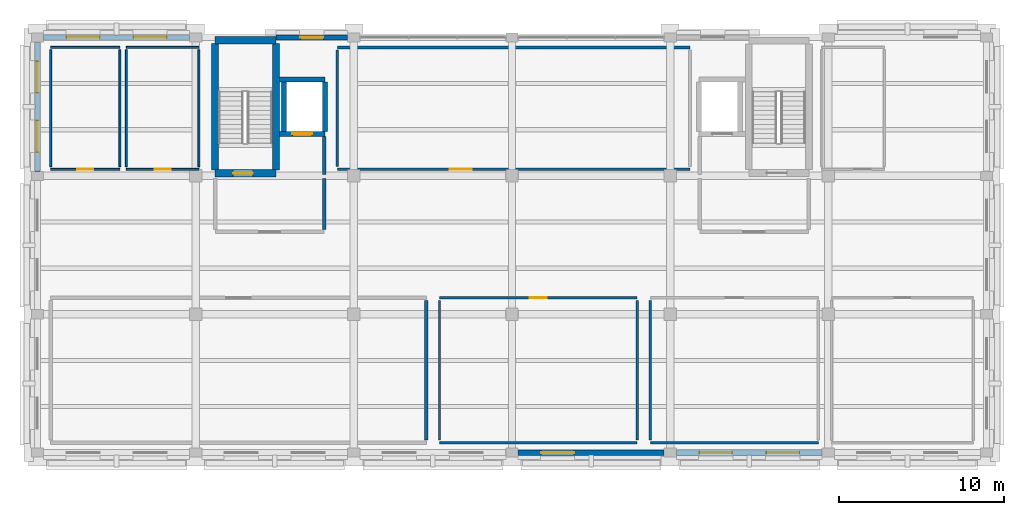
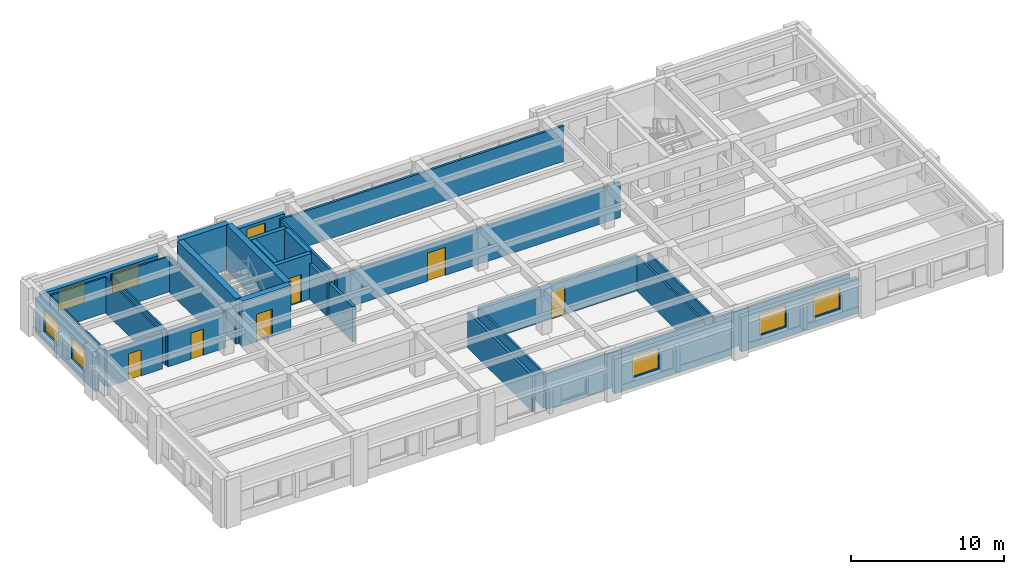
# One storey, part 6 of 11: 33 walls, 8 windows, 6 doors, 14 openings.
"""IFC4 building model written with IfcOpenShell, lengths in metres."""

from ifc_helpers import new_model, si_unit, direction, frame, frame_2d, origin, place, context, subcontext, project, spatial, rectangle, extrude, material, layer, layer_set, type_object, element, fill, save


model = new_model("IFC4")

# Units and contexts
model_context = context("Model", 3, precision=1e-05, world=origin(), true_north=direction((0.0, 1.0)))
body_context = subcontext(model_context, "Body", "Model", "MODEL_VIEW")
ifc_project = project(units=[si_unit("LENGTHUNIT", "METRE"), si_unit("AREAUNIT", "SQUARE_METRE"), si_unit("VOLUMEUNIT", "CUBIC_METRE"), si_unit("PLANEANGLEUNIT", "RADIAN"), si_unit("MASSUNIT", "GRAM", prefix="KILO")], contexts=[model_context])

# Site, building, storey
site_placement = place(None, origin())
site = spatial("IfcSite", under=ifc_project, at=site_placement, CompositionType="ELEMENT")
building_placement = place(site_placement, origin())
building = spatial("IfcBuilding", under=site, at=building_placement, Name="Bempovik Park Faculty of Sciences", CompositionType="ELEMENT")
storey_placement = place(building_placement, frame((0.0, 0.0, 30.60009765625)))
storey = spatial("IfcBuildingStorey", under=building, at=storey_placement, Name="L07", CompositionType="ELEMENT", Elevation=30.60009765625)

# Wall, opening, door
ifc_material_1 = material(Name="Concrete C40/50", Category="concrete")
ifc_layer_1 = layer(ifc_material_1, 0.449951171875)
ifc_layer_set_1 = layer_set([ifc_layer_1], Name="Concrete C40/50")
wall_type_1 = type_object("IfcWallType", Name="W-15 Wall 450mm", PredefinedType="SHEAR", material=ifc_layer_set_1)
wall_1_placement = place(storey_placement, frame((70.77490234375, 111.14990234375, 0.0), z_axis=(0.0, 0.0, 1.0), x_axis=(1.0, 0.0, 0.0)))
wall_1 = element("IfcWall", 1, at=wall_1_placement, inside=storey, type_object=wall_type_1, Name="ST-1 L07 Core Shear Wall South", PredefinedType="SHEAR", context=body_context, shape_type="SweptSolid", body=[
    extrude(rectangle(XDim=3.7001953125, YDim=0.449951171875, at=frame_2d((1.85009765625, 0.0))), origin(), (0.0, 0.0, 1.0), 3.619873046875),
])
opening_1_placement = place(wall_1_placement, frame((1.10009765625, 0.0, 0.0)))
opening_1 = element("IfcOpeningElement", 2, at=opening_1_placement, cuts=wall_1, Name="Opening D-49", PredefinedType="OPENING", context=body_context, shape_type="SweptSolid", body=[
    extrude(rectangle(XDim=1.199951171875, YDim=2.199951171875, at=frame_2d((0.60009765625, 1.10009765625))), frame((0.0, 0.23486328125, 0.0), z_axis=(0.0, -1.0, 0.0), x_axis=(1.0, 0.0, 0.0)), (0.0, 0.0, 1.0), 0.469970703125),
])
ifc_material_2 = material(Name="Painted steel S355", Category="steel")
door_type_1 = type_object("IfcDoorType", Name="D-49 Door 1200x2200", OperationType="NOTDEFINED", PredefinedType="DOOR", material=ifc_material_2)
door_1_placement = place(opening_1_placement, origin())
door_1 = element("IfcDoor", 3, at=door_1_placement, inside=storey, type_object=door_type_1, Name="ST-1 L07 Protected Stair Smoke Door", OperationType="SINGLE_SWING_LEFT", OverallHeight=2.199951171875, OverallWidth=1.199951171875, PredefinedType="DOOR", context=body_context, shape_type="SweptSolid", body=[
    extrude(rectangle(XDim=1.199951171875, YDim=2.199951171875, at=frame_2d((0.60009765625, 1.10009765625))), frame((0.0, 0.02490234375, 0.0), z_axis=(0.0, -1.0, 0.0), x_axis=(1.0, 0.0, 0.0)), (0.0, 0.0, 1.0), 0.050048828125),
])
fill(opening_1, door_1)

# Walls
for number, where, z_axis, x_axis, name in (
    (4, (70.77490234375, 111.35009765625, 0.0), (0.0, 0.0, 1.0), (0.0, 1.0, 0.0), "ST-1 L07 Core Shear Wall West"),
    (5, (74.47509765625, 111.35009765625, 0.0), (0.0, 0.0, 1.0), (0.0, 1.0, 0.0), "ST-1 L07 Core Shear Wall East"),
):
    element("IfcWall", number, at=place(storey_placement, frame(where, z_axis=z_axis, x_axis=x_axis)), inside=storey, type_object=wall_type_1, Name=name, PredefinedType="SHEAR", context=body_context, shape_type="SweptSolid", body=[
        extrude(rectangle(XDim=7.6748046875, YDim=0.449951171875, at=frame_2d((3.83740234375, 0.0))), origin(), (0.0, 0.0, 1.0), 3.619873046875),
    ])
wall_2_placement = place(storey_placement, frame((70.77490234375, 119.22509765625, 0.0), z_axis=(0.0, 0.0, 1.0), x_axis=(1.0, 0.0, 0.0)))
element("IfcWall", 6, at=wall_2_placement, inside=storey, type_object=wall_type_1, Name="ST-1 L07 Core Shear Wall North", PredefinedType="SHEAR", context=body_context, shape_type="SweptSolid", body=[
    extrude(rectangle(XDim=3.7001953125, YDim=0.449951171875, at=frame_2d((1.85009765625, 0.0))), origin(), (0.0, 0.0, 1.0), 3.619873046875),
])

# Wall, opening, door
ifc_material_3 = material(Name="Gypsum acoustic stud assembly")
ifc_layer_2 = layer(ifc_material_3, 0.1201171875)
ifc_layer_set_2 = layer_set([ifc_layer_2], Name="Gypsum acoustic stud assembly")
wall_type_2 = type_object("IfcWallType", Name="W-17 Wall 120mm", PredefinedType="PARTITIONING", material=ifc_layer_set_2)
wall_3_placement = place(storey_placement, frame((60.800048828125, 111.39990234375, 0.0), z_axis=(0.0, 0.0, 1.0), x_axis=(1.0, 0.0, 0.0)))
wall_3 = element("IfcWall", 7, at=wall_3_placement, inside=storey, type_object=wall_type_2, Name="L07 L07 Male WC Partition South", PredefinedType="PARTITIONING", context=body_context, shape_type="SweptSolid", body=[
    extrude(rectangle(XDim=4.199951171875, YDim=0.1201171875, at=frame_2d((2.10009765625, 0.0))), origin(), (0.0, 0.0, 1.0), 2.849853515625),
])
opening_2_placement = place(wall_3_placement, frame((1.625, 0.0, 0.0)))
opening_2 = element("IfcOpeningElement", 8, at=opening_2_placement, cuts=wall_3, Name="Opening D-56", PredefinedType="OPENING", context=body_context, shape_type="SweptSolid", body=[
    extrude(rectangle(XDim=0.949951171875, YDim=2.10009765625, at=frame_2d((0.47509765625, 1.050048828125))), frame((0.0, 0.070068359375, 0.0), z_axis=(0.0, -1.0, 0.0), x_axis=(1.0, 0.0, 0.0)), (0.0, 0.0, 1.0), 0.14013671875),
])
ifc_material_4 = material(Name="West African hardwood finish", Category="wood")
door_type_2 = type_object("IfcDoorType", Name="D-56 Door 950x2100", OperationType="NOTDEFINED", PredefinedType="DOOR", material=ifc_material_4)
door_2_placement = place(opening_2_placement, origin())
door_2 = element("IfcDoor", 9, at=door_2_placement, inside=storey, type_object=door_type_2, Name="L07 L07 Male WC Door", OperationType="SINGLE_SWING_RIGHT", OverallHeight=2.10009765625, OverallWidth=0.949951171875, PredefinedType="DOOR", context=body_context, shape_type="SweptSolid", body=[
    extrude(rectangle(XDim=0.949951171875, YDim=2.10009765625, at=frame_2d((0.47509765625, 1.050048828125))), frame((0.0, 0.02490234375, 0.0), z_axis=(0.0, -1.0, 0.0), x_axis=(1.0, 0.0, 0.0)), (0.0, 0.0, 1.0), 0.050048828125),
])
fill(opening_2, door_2)

# Walls
wall_4_placement = place(storey_placement, frame((60.800048828125, 118.800048828125, 0.0), z_axis=(0.0, 0.0, 1.0), x_axis=(1.0, 0.0, 0.0)))
element("IfcWall", 10, at=wall_4_placement, inside=storey, type_object=wall_type_2, Name="L07 L07 Male WC Partition North", PredefinedType="PARTITIONING", context=body_context, shape_type="SweptSolid", body=[
    extrude(rectangle(XDim=4.199951171875, YDim=0.1201171875, at=frame_2d((2.10009765625, 0.0))), origin(), (0.0, 0.0, 1.0), 2.849853515625),
])
for number, where, z_axis, x_axis, name in (
    (11, (60.800048828125, 111.56005859375, 0.0), (0.0, 0.0, 1.0), (0.0, 1.0, 0.0), "L07 L07 Male WC Partition West"),
    (12, (65.0, 111.56005859375, 0.0), (0.0, 0.0, 1.0), (0.0, 1.0, 0.0), "L07 L07 Male WC Partition East"),
):
    element("IfcWall", number, at=place(storey_placement, frame(where, z_axis=z_axis, x_axis=x_axis)), inside=storey, type_object=wall_type_2, Name=name, PredefinedType="PARTITIONING", context=body_context, shape_type="SweptSolid", body=[
        extrude(rectangle(XDim=7.079833984375, YDim=0.1201171875, at=frame_2d((3.5400390625, 0.0))), origin(), (0.0, 0.0, 1.0), 2.849853515625),
    ])

# Wall, opening, door
wall_5_placement = place(storey_placement, frame((65.39990234375, 111.39990234375, 0.0), z_axis=(0.0, 0.0, 1.0), x_axis=(1.0, 0.0, 0.0)))
wall_5 = element("IfcWall", 13, at=wall_5_placement, inside=storey, type_object=wall_type_2, Name="L07 L07 Female WC Partition South", PredefinedType="PARTITIONING", context=body_context, shape_type="SweptSolid", body=[
    extrude(rectangle(XDim=4.400146484375, YDim=0.1201171875, at=frame_2d((2.2001953125, 0.0))), origin(), (0.0, 0.0, 1.0), 2.849853515625),
])
opening_3_placement = place(wall_5_placement, frame((1.72509765625, 0.0, 0.0)))
opening_3 = element("IfcOpeningElement", 14, at=opening_3_placement, cuts=wall_5, Name="Opening D-56", PredefinedType="OPENING", context=body_context, shape_type="SweptSolid", body=[
    extrude(rectangle(XDim=0.949951171875, YDim=2.10009765625, at=frame_2d((0.47509765625, 1.050048828125))), frame((0.0, 0.070068359375, 0.0), z_axis=(0.0, -1.0, 0.0), x_axis=(1.0, 0.0, 0.0)), (0.0, 0.0, 1.0), 0.14013671875),
])
door_3_placement = place(opening_3_placement, origin())
door_3 = element("IfcDoor", 15, at=door_3_placement, inside=storey, type_object=door_type_2, Name="L07 L07 Female WC Door", OperationType="SINGLE_SWING_LEFT", OverallHeight=2.10009765625, OverallWidth=0.949951171875, PredefinedType="DOOR", context=body_context, shape_type="SweptSolid", body=[
    extrude(rectangle(XDim=0.949951171875, YDim=2.10009765625, at=frame_2d((0.47509765625, 1.050048828125))), frame((0.0, 0.02490234375, 0.0), z_axis=(0.0, -1.0, 0.0), x_axis=(1.0, 0.0, 0.0)), (0.0, 0.0, 1.0), 0.050048828125),
])
fill(opening_3, door_3)

# Walls
wall_6_placement = place(storey_placement, frame((65.39990234375, 118.800048828125, 0.0), z_axis=(0.0, 0.0, 1.0), x_axis=(1.0, 0.0, 0.0)))
element("IfcWall", 16, at=wall_6_placement, inside=storey, type_object=wall_type_2, Name="L07 L07 Female WC Partition North", PredefinedType="PARTITIONING", context=body_context, shape_type="SweptSolid", body=[
    extrude(rectangle(XDim=4.400146484375, YDim=0.1201171875, at=frame_2d((2.2001953125, 0.0))), origin(), (0.0, 0.0, 1.0), 2.849853515625),
])
for number, where, z_axis, x_axis, name in (
    (17, (65.39990234375, 111.56005859375, 0.0), (0.0, 0.0, 1.0), (0.0, 1.0, 0.0), "L07 L07 Female WC Partition West"),
    (18, (69.800048828125, 111.56005859375, 0.0), (0.0, 0.0, 1.0), (0.0, 1.0, 0.0), "L07 L07 Female WC Partition East"),
):
    element("IfcWall", number, at=place(storey_placement, frame(where, z_axis=z_axis, x_axis=x_axis)), inside=storey, type_object=wall_type_2, Name=name, PredefinedType="PARTITIONING", context=body_context, shape_type="SweptSolid", body=[
        extrude(rectangle(XDim=7.079833984375, YDim=0.1201171875, at=frame_2d((3.5400390625, 0.0))), origin(), (0.0, 0.0, 1.0), 2.849853515625),
    ])
ifc_layer_3 = layer(ifc_material_3, 0.139892578125)
ifc_layer_set_3 = layer_set([ifc_layer_3], Name="Gypsum acoustic stud assembly")
wall_type_3 = type_object("IfcWallType", Name="W-21 Wall 140mm", PredefinedType="PARTITIONING", material=ifc_layer_set_3)
wall_7_placement = place(storey_placement, frame((84.39990234375, 94.800048828125, 0.0), z_axis=(0.0, 0.0, 1.0), x_axis=(1.0, 0.0, 0.0)))
element("IfcWall", 19, at=wall_7_placement, inside=storey, type_object=wall_type_3, Name="L07 Data Science Research Write-Up Room Partition South", PredefinedType="PARTITIONING", context=body_context, shape_type="SweptSolid", body=[
    extrude(rectangle(XDim=12.0, YDim=0.139892578125, at=frame_2d((6.0, 0.0))), origin(), (0.0, 0.0, 1.0), 2.849853515625),
])

# Wall, opening, door
wall_8_placement = place(storey_placement, frame((84.39990234375, 103.60009765625, 0.0), z_axis=(0.0, 0.0, 1.0), x_axis=(1.0, 0.0, 0.0)))
wall_8 = element("IfcWall", 20, at=wall_8_placement, inside=storey, type_object=wall_type_3, Name="L07 Data Science Research Write-Up Room Partition North", PredefinedType="PARTITIONING", context=body_context, shape_type="SweptSolid", body=[
    extrude(rectangle(XDim=12.0, YDim=0.139892578125, at=frame_2d((6.0, 0.0))), origin(), (0.0, 0.0, 1.0), 2.849853515625),
])
opening_4_placement = place(wall_8_placement, frame((5.489990234375, 0.0, 0.0)))
opening_4 = element("IfcOpeningElement", 21, at=opening_4_placement, cuts=wall_8, Name="Opening D-12", PredefinedType="OPENING", context=body_context, shape_type="SweptSolid", body=[
    extrude(rectangle(XDim=1.02001953125, YDim=2.199951171875, at=frame_2d((0.510009765625, 1.10009765625))), frame((0.0, 0.080078125, 0.0), z_axis=(0.0, -1.0, 0.0), x_axis=(1.0, 0.0, 0.0)), (0.0, 0.0, 1.0), 0.159912109375),
])
door_type_3 = type_object("IfcDoorType", Name="D-12 Door 1020x2200", OperationType="NOTDEFINED", PredefinedType="DOOR", material=ifc_material_4)
door_4_placement = place(opening_4_placement, origin())
door_4 = element("IfcDoor", 22, at=door_4_placement, inside=storey, type_object=door_type_3, Name="L07 Data Science Research Write-Up Room Door", OperationType="SINGLE_SWING_RIGHT", OverallHeight=2.199951171875, OverallWidth=1.02001953125, PredefinedType="DOOR", context=body_context, shape_type="SweptSolid", body=[
    extrude(rectangle(XDim=1.02001953125, YDim=2.199951171875, at=frame_2d((0.510009765625, 1.10009765625))), frame((0.0, 0.02490234375, 0.0), z_axis=(0.0, -1.0, 0.0), x_axis=(1.0, 0.0, 0.0)), (0.0, 0.0, 1.0), 0.050048828125),
])
fill(opening_4, door_4)

# Walls
for number, where, z_axis, x_axis, name in (
    (23, (84.39990234375, 94.9599609375, 0.0), (0.0, 0.0, 1.0), (0.0, 1.0, 0.0), "L07 Data Science Research Write-Up Room Partition West"),
    (24, (96.39990234375, 94.9599609375, 0.0), (0.0, 0.0, 1.0), (0.0, 1.0, 0.0), "L07 Data Science Research Write-Up Room Partition East"),
):
    element("IfcWall", number, at=place(storey_placement, frame(where, z_axis=z_axis, x_axis=x_axis)), inside=storey, type_object=wall_type_3, Name=name, PredefinedType="PARTITIONING", context=body_context, shape_type="SweptSolid", body=[
        extrude(rectangle(XDim=8.47998046875, YDim=0.139892578125, at=frame_2d((4.239990234375, 0.0))), origin(), (0.0, 0.0, 1.0), 2.849853515625),
    ])

# Wall, opening, door
ifc_layer_4 = layer(ifc_material_1, 0.300048828125)
ifc_layer_set_4 = layer_set([ifc_layer_4], Name="Concrete C40/50")
wall_type_4 = type_object("IfcWallType", Name="W-31 Wall 300mm", PredefinedType="SHEAR", material=ifc_layer_set_4)
wall_9_placement = place(storey_placement, frame((74.699951171875, 113.550048828125, 0.0), z_axis=(0.0, 0.0, 1.0), x_axis=(1.0, 0.0, 0.0)))
wall_9 = element("IfcWall", 25, at=wall_9_placement, inside=storey, type_object=wall_type_4, Name="Lift LF-1 L07 Shaft Wall South", PredefinedType="SHEAR", context=body_context, shape_type="SweptSolid", body=[
    extrude(rectangle(XDim=2.75, YDim=0.300048828125, at=frame_2d((1.375, 0.0))), origin(), (0.0, 0.0, 1.0), 3.619873046875),
])
opening_5_placement = place(wall_9_placement, frame((0.77490234375, 0.0, 0.0)))
opening_5 = element("IfcOpeningElement", 26, at=opening_5_placement, cuts=wall_9, Name="Opening LD-01", PredefinedType="OPENING", context=body_context, shape_type="SweptSolid", body=[
    extrude(rectangle(XDim=1.199951171875, YDim=2.199951171875, at=frame_2d((0.60009765625, 1.10009765625))), frame((0.0, 0.16015625, 0.0), z_axis=(0.0, -1.0, 0.0), x_axis=(1.0, 0.0, 0.0)), (0.0, 0.0, 1.0), 0.320068359375),
])
door_type_4 = type_object("IfcDoorType", Name="LD-01 Door 1200x2200", OperationType="NOTDEFINED", PredefinedType="DOOR", material=ifc_material_2)
door_5_placement = place(opening_5_placement, origin())
door_5 = element("IfcDoor", 27, at=door_5_placement, inside=storey, type_object=door_type_4, Name="Lift LF-1 L07 Sliding Landing Door", OperationType="SLIDING_TO_LEFT", OverallHeight=2.199951171875, OverallWidth=1.199951171875, PredefinedType="DOOR", context=body_context, shape_type="SweptSolid", body=[
    extrude(rectangle(XDim=1.199951171875, YDim=2.199951171875, at=frame_2d((0.60009765625, 1.10009765625))), frame((0.0, 0.02490234375, 0.0), z_axis=(0.0, -1.0, 0.0), x_axis=(1.0, 0.0, 0.0)), (0.0, 0.0, 1.0), 0.050048828125),
])
fill(opening_5, door_5)

# Walls
wall_10_placement = place(storey_placement, frame((74.699951171875, 116.85009765625, 0.0), z_axis=(0.0, 0.0, 1.0), x_axis=(1.0, 0.0, 0.0)))
element("IfcWall", 28, at=wall_10_placement, inside=storey, type_object=wall_type_4, Name="Lift LF-1 L07 Shaft Wall North", PredefinedType="SHEAR", context=body_context, shape_type="SweptSolid", body=[
    extrude(rectangle(XDim=2.75, YDim=0.300048828125, at=frame_2d((1.375, 0.0))), origin(), (0.0, 0.0, 1.0), 3.619873046875),
])
for number, where, z_axis, x_axis, name in (
    (29, (74.949951171875, 113.699951171875, 0.0), (0.0, 0.0, 1.0), (0.0, 1.0, 0.0), "Lift LF-1 L07 Shaft Wall West"),
    (30, (77.449951171875, 113.699951171875, 0.0), (0.0, 0.0, 1.0), (0.0, 1.0, 0.0), "Lift LF-1 L07 Shaft Wall East"),
):
    element("IfcWall", number, at=place(storey_placement, frame(where, z_axis=z_axis, x_axis=x_axis)), inside=storey, type_object=wall_type_4, Name=name, PredefinedType="SHEAR", context=body_context, shape_type="SweptSolid", body=[
        extrude(rectangle(XDim=3.0, YDim=0.300048828125, at=frame_2d((1.5, 0.0))), origin(), (0.0, 0.0, 1.0), 3.619873046875),
    ])
ifc_material_5 = material(Name="Concrete C35/45", Category="concrete")
ifc_layer_5 = layer(ifc_material_5, 0.219970703125)
ifc_layer_set_5 = layer_set([ifc_layer_5], Name="Concrete C35/45")
wall_type_5 = type_object("IfcWallType", Name="W-38 Wall 220mm", PredefinedType="PARTITIONING", material=ifc_layer_set_5)
wall_11_placement = place(storey_placement, frame((77.39990234375, 111.080078125, 0.0), z_axis=(0.0, 0.0, 1.0), x_axis=(0.0, 1.0, 0.0)))
element("IfcWall", 31, at=wall_11_placement, inside=storey, type_object=wall_type_5, Name="L07 Firefighting Lobby West Lift Link Wall", PredefinedType="PARTITIONING", context=body_context, shape_type="SweptSolid", body=[
    extrude(rectangle(XDim=2.31982421875, YDim=0.219970703125, at=frame_2d((1.159912109375, 0.0))), origin(), (0.0, 0.0, 1.0), 2.849853515625),
])
wall_12_placement = place(storey_placement, frame((77.39990234375, 107.760009765625, 0.0), z_axis=(0.0, 0.0, 1.0), x_axis=(0.0, 1.0, 0.0)))
element("IfcWall", 32, at=wall_12_placement, inside=storey, type_object=wall_type_5, Name="L07 Firefighting Lift Lobby West Partition East", PredefinedType="PARTITIONING", context=body_context, shape_type="SweptSolid", body=[
    extrude(rectangle(XDim=3.080078125, YDim=0.219970703125, at=frame_2d((1.5400390625, 0.0))), origin(), (0.0, 0.0, 1.0), 2.849853515625),
])
ifc_layer_6 = layer(ifc_material_3, 0.14990234375)
ifc_layer_set_6 = layer_set([ifc_layer_6], Name="Gypsum acoustic stud assembly")
wall_type_6 = type_object("IfcWallType", Name="W-42 Wall 150mm", PredefinedType="PARTITIONING", material=ifc_layer_set_6)
wall_13_placement = place(storey_placement, frame((97.199951171875, 94.800048828125, 0.0), z_axis=(0.0, 0.0, 1.0), x_axis=(1.0, 0.0, 0.0)))
element("IfcWall", 33, at=wall_13_placement, inside=storey, type_object=wall_type_6, Name="L07 Applied Mathematics Colloquium Room Partition South", PredefinedType="PARTITIONING", context=body_context, shape_type="SweptSolid", body=[
    extrude(rectangle(XDim=10.199951171875, YDim=0.14990234375, at=frame_2d((5.10009765625, 0.0))), origin(), (0.0, 0.0, 1.0), 2.849853515625),
])
wall_14_placement = place(storey_placement, frame((97.199951171875, 94.9599609375, 0.0), z_axis=(0.0, 0.0, 1.0), x_axis=(0.0, 1.0, 0.0)))
element("IfcWall", 34, at=wall_14_placement, inside=storey, type_object=wall_type_6, Name="L07 Applied Mathematics Colloquium Room Partition West", PredefinedType="PARTITIONING", context=body_context, shape_type="SweptSolid", body=[
    extrude(rectangle(XDim=8.47998046875, YDim=0.14990234375, at=frame_2d((4.239990234375, 0.0))), origin(), (0.0, 0.0, 1.0), 2.849853515625),
])

# Wall, opening, door
ifc_layer_7 = layer(ifc_material_5, 0.169921875)
ifc_layer_set_7 = layer_set([ifc_layer_7], Name="Concrete C35/45")
wall_type_7 = type_object("IfcWallType", Name="W-50 Wall 170mm", PredefinedType="PARTITIONING", material=ifc_layer_set_7)
wall_15_placement = place(storey_placement, frame((78.199951171875, 111.39990234375, 0.0), z_axis=(0.0, 0.0, 1.0), x_axis=(1.0, 0.0, 0.0)))
wall_15 = element("IfcWall", 35, at=wall_15_placement, inside=storey, type_object=wall_type_7, Name="L07 High-Performance Server and Data Archive Partition South", PredefinedType="PARTITIONING", context=body_context, shape_type="SweptSolid", body=[
    extrude(rectangle(XDim=21.400146484375, YDim=0.169921875, at=frame_2d((10.7001953125, 0.0))), origin(), (0.0, 0.0, 1.0), 2.849853515625),
])
opening_6_placement = place(wall_15_placement, frame((6.81494140625, 0.0, 0.0)))
opening_6 = element("IfcOpeningElement", 36, at=opening_6_placement, cuts=wall_15, Name="Opening D-69", PredefinedType="OPENING", context=body_context, shape_type="SweptSolid", body=[
    extrude(rectangle(XDim=1.35009765625, YDim=2.25, at=frame_2d((0.675048828125, 1.125))), frame((0.0, 0.094970703125, 0.0), z_axis=(0.0, -1.0, 0.0), x_axis=(1.0, 0.0, 0.0)), (0.0, 0.0, 1.0), 0.18994140625),
])
door_type_5 = type_object("IfcDoorType", Name="D-69 Door 1350x2250", OperationType="NOTDEFINED", PredefinedType="DOOR", material=ifc_material_4)
door_6_placement = place(opening_6_placement, origin())
door_6 = element("IfcDoor", 37, at=door_6_placement, inside=storey, type_object=door_type_5, Name="L07 High-Performance Server and Data Archive Door", OperationType="SINGLE_SWING_LEFT", OverallHeight=2.25, OverallWidth=1.35009765625, PredefinedType="DOOR", context=body_context, shape_type="SweptSolid", body=[
    extrude(rectangle(XDim=1.35009765625, YDim=2.25, at=frame_2d((0.675048828125, 1.125))), frame((0.0, 0.02490234375, 0.0), z_axis=(0.0, -1.0, 0.0), x_axis=(1.0, 0.0, 0.0)), (0.0, 0.0, 1.0), 0.050048828125),
])
fill(opening_6, door_6)

# Walls
wall_16_placement = place(storey_placement, frame((78.199951171875, 118.800048828125, 0.0), z_axis=(0.0, 0.0, 1.0), x_axis=(1.0, 0.0, 0.0)))
element("IfcWall", 38, at=wall_16_placement, inside=storey, type_object=wall_type_7, Name="L07 High-Performance Server and Data Archive Partition North", PredefinedType="PARTITIONING", context=body_context, shape_type="SweptSolid", body=[
    extrude(rectangle(XDim=21.400146484375, YDim=0.169921875, at=frame_2d((10.7001953125, 0.0))), origin(), (0.0, 0.0, 1.0), 2.849853515625),
])
wall_17_placement = place(storey_placement, frame((78.199951171875, 111.56005859375, 0.0), z_axis=(0.0, 0.0, 1.0), x_axis=(0.0, 1.0, 0.0)))
element("IfcWall", 39, at=wall_17_placement, inside=storey, type_object=wall_type_7, Name="L07 High-Performance Server and Data Archive Partition West", PredefinedType="PARTITIONING", context=body_context, shape_type="SweptSolid", body=[
    extrude(rectangle(XDim=7.079833984375, YDim=0.169921875, at=frame_2d((3.5400390625, 0.0))), origin(), (0.0, 0.0, 1.0), 2.849853515625),
])

# Wall, openings, windows
ifc_material_6 = material(Name="Precast concrete C40/50", Category="concrete")
ifc_layer_8 = layer(ifc_material_6, 0.320068359375)
ifc_layer_set_8 = layer_set([ifc_layer_8], Name="Precast concrete C40/50")
wall_type_8 = type_object("IfcWallType", Name="W-56 Wall 320mm", PredefinedType="SOLIDWALL", material=ifc_layer_set_8)
wall_18_placement = place(storey_placement, frame((60.376953125, 119.39990234375, 0.0), z_axis=(0.0, 0.0, 1.0), x_axis=(1.0, 0.0, 0.0)))
wall_18 = element("IfcWall", 40, at=wall_18_placement, inside=storey, type_object=wall_type_8, Name="L07 Classical Precast Facade Wall EW-L07-10592", PredefinedType="SOLIDWALL", context=body_context, shape_type="SweptSolid", body=[
    extrude(rectangle(XDim=8.845947265625, YDim=0.320068359375, at=frame_2d((4.4228515625, 0.0))), origin(), (0.0, 0.0, 1.0), 2.77978515625),
])
opening_7_placement = place(wall_18_placement, frame((1.388427734375, 0.0, 0.85009765625)))
opening_7 = element("IfcOpeningElement", 41, at=opening_7_placement, cuts=wall_18, Name="Opening WN-61", PredefinedType="OPENING", context=body_context, shape_type="SweptSolid", body=[
    extrude(rectangle(XDim=2.0, YDim=1.699951171875, at=frame_2d((1.0, 0.85009765625))), frame((0.0, 0.169921875, 0.0), z_axis=(0.0, -1.0, 0.0), x_axis=(1.0, 0.0, 0.0)), (0.0, 0.0, 1.0), 0.340087890625),
])
opening_8_placement = place(wall_18_placement, frame((5.45751953125, 0.0, 0.85009765625)))
opening_8 = element("IfcOpeningElement", 42, at=opening_8_placement, cuts=wall_18, Name="Opening WN-61", PredefinedType="OPENING", context=body_context, shape_type="SweptSolid", body=[
    extrude(rectangle(XDim=2.0, YDim=1.699951171875, at=frame_2d((1.0, 0.85009765625))), frame((0.0, 0.169921875, 0.0), z_axis=(0.0, -1.0, 0.0), x_axis=(1.0, 0.0, 0.0)), (0.0, 0.0, 1.0), 0.340087890625),
])
ifc_material_7 = material(Name="Tempered laminated low-E glass", Category="glass")
window_type_1 = type_object("IfcWindowType", Name="WN-61 Window 2000x1700", PartitioningType="SINGLE_PANEL", PredefinedType="WINDOW", material=ifc_material_7)
window_1_placement = place(opening_7_placement, origin())
window_1 = element("IfcWindow", 43, at=window_1_placement, inside=storey, type_object=window_type_1, Name="L07 Window EW-L07-10592-1", OverallHeight=1.699951171875, OverallWidth=2.0, PartitioningType="SINGLE_PANEL", PredefinedType="WINDOW", context=body_context, shape_type="SweptSolid", body=[
    extrude(rectangle(XDim=2.0, YDim=1.699951171875, at=frame_2d((1.0, 0.85009765625))), frame((0.0, 0.030029296875, 0.0), z_axis=(0.0, -1.0, 0.0), x_axis=(1.0, 0.0, 0.0)), (0.0, 0.0, 1.0), 0.06005859375),
])
fill(opening_7, window_1)
window_2_placement = place(opening_8_placement, origin())
window_2 = element("IfcWindow", 44, at=window_2_placement, inside=storey, type_object=window_type_1, Name="L07 Window EW-L07-10592-2", OverallHeight=1.699951171875, OverallWidth=2.0, PartitioningType="SINGLE_PANEL", PredefinedType="WINDOW", context=body_context, shape_type="SweptSolid", body=[
    extrude(rectangle(XDim=2.0, YDim=1.699951171875, at=frame_2d((1.0, 0.85009765625))), frame((0.0, 0.030029296875, 0.0), z_axis=(0.0, -1.0, 0.0), x_axis=(1.0, 0.0, 0.0)), (0.0, 0.0, 1.0), 0.06005859375),
])
fill(opening_8, window_2)

# Wall, opening, window
wall_19_placement = place(storey_placement, frame((74.47607421875, 119.39990234375, 0.0), z_axis=(0.0, 0.0, 1.0), x_axis=(1.0, 0.0, 0.0)))
wall_19 = element("IfcWall", 45, at=wall_19_placement, inside=storey, type_object=wall_type_8, Name="L07 Classical Precast Facade Wall EW-L07-10605", PredefinedType="SOLIDWALL", context=body_context, shape_type="SweptSolid", body=[
    extrude(rectangle(XDim=4.346923828125, YDim=0.320068359375, at=frame_2d((2.17333984375, 0.0))), origin(), (0.0, 0.0, 1.0), 2.77978515625),
])
opening_9_placement = place(wall_19_placement, frame((1.473388671875, 0.0, 0.89990234375)))
opening_9 = element("IfcOpeningElement", 46, at=opening_9_placement, cuts=wall_19, Name="Opening WN-84", PredefinedType="OPENING", context=body_context, shape_type="SweptSolid", body=[
    extrude(rectangle(XDim=1.39990234375, YDim=1.64990234375, at=frame_2d((0.699951171875, 0.824951171875))), frame((0.0, 0.169921875, 0.0), z_axis=(0.0, -1.0, 0.0), x_axis=(1.0, 0.0, 0.0)), (0.0, 0.0, 1.0), 0.340087890625),
])
window_type_2 = type_object("IfcWindowType", Name="WN-84 Window 1400x1650", PartitioningType="SINGLE_PANEL", PredefinedType="WINDOW", material=ifc_material_7)
window_3_placement = place(opening_9_placement, origin())
window_3 = element("IfcWindow", 47, at=window_3_placement, inside=storey, type_object=window_type_2, Name="L07 Stairwell Classical Lancet Window EW-L07-10605", OverallHeight=1.64990234375, OverallWidth=1.39990234375, PartitioningType="SINGLE_PANEL", PredefinedType="WINDOW", context=body_context, shape_type="SweptSolid", body=[
    extrude(rectangle(XDim=1.39990234375, YDim=1.64990234375, at=frame_2d((0.699951171875, 0.824951171875))), frame((0.0, 0.030029296875, 0.0), z_axis=(0.0, -1.0, 0.0), x_axis=(1.0, 0.0, 0.0)), (0.0, 0.0, 1.0), 0.06005859375),
])
fill(opening_9, window_3)

# Wall, openings, windows
wall_20_placement = place(storey_placement, frame((60.0, 111.277099609375, 0.0), z_axis=(0.0, 0.0, 1.0), x_axis=(0.0, 1.0, 0.0)))
wall_20 = element("IfcWall", 48, at=wall_20_placement, inside=storey, type_object=wall_type_8, Name="L07 Classical Precast Facade Wall EW-L07-10689", PredefinedType="SOLIDWALL", context=body_context, shape_type="SweptSolid", body=[
    extrude(rectangle(XDim=7.845947265625, YDim=0.320068359375, at=frame_2d((3.9228515625, 0.0))), origin(), (0.0, 0.0, 1.0), 2.77978515625),
])
opening_10_placement = place(wall_20_placement, frame((1.16845703125, 0.0, 0.800048828125)))
opening_10 = element("IfcOpeningElement", 49, at=opening_10_placement, cuts=wall_20, Name="Opening WN-77", PredefinedType="OPENING", context=body_context, shape_type="SweptSolid", body=[
    extrude(rectangle(XDim=1.89990234375, YDim=1.75, at=frame_2d((0.949951171875, 0.875))), frame((0.0, 0.169921875, 0.0), z_axis=(0.0, -1.0, 0.0), x_axis=(1.0, 0.0, 0.0)), (0.0, 0.0, 1.0), 0.340087890625),
])
opening_11_placement = place(wall_20_placement, frame((4.777587890625, 0.0, 0.800048828125)))
opening_11 = element("IfcOpeningElement", 50, at=opening_11_placement, cuts=wall_20, Name="Opening WN-77", PredefinedType="OPENING", context=body_context, shape_type="SweptSolid", body=[
    extrude(rectangle(XDim=1.89990234375, YDim=1.75, at=frame_2d((0.949951171875, 0.875))), frame((0.0, 0.169921875, 0.0), z_axis=(0.0, -1.0, 0.0), x_axis=(1.0, 0.0, 0.0)), (0.0, 0.0, 1.0), 0.340087890625),
])
window_type_3 = type_object("IfcWindowType", Name="WN-77 Window 1900x1750", PartitioningType="SINGLE_PANEL", PredefinedType="WINDOW", material=ifc_material_7)
window_4_placement = place(opening_10_placement, origin())
window_4 = element("IfcWindow", 51, at=window_4_placement, inside=storey, type_object=window_type_3, Name="L07 Window EW-L07-10689-1", OverallHeight=1.75, OverallWidth=1.89990234375, PartitioningType="SINGLE_PANEL", PredefinedType="WINDOW", context=body_context, shape_type="SweptSolid", body=[
    extrude(rectangle(XDim=1.89990234375, YDim=1.75, at=frame_2d((0.949951171875, 0.875))), frame((0.0, 0.030029296875, 0.0), z_axis=(0.0, -1.0, 0.0), x_axis=(1.0, 0.0, 0.0)), (0.0, 0.0, 1.0), 0.06005859375),
])
fill(opening_10, window_4)
window_5_placement = place(opening_11_placement, origin())
window_5 = element("IfcWindow", 52, at=window_5_placement, inside=storey, type_object=window_type_3, Name="L07 Window EW-L07-10689-2", OverallHeight=1.75, OverallWidth=1.89990234375, PartitioningType="SINGLE_PANEL", PredefinedType="WINDOW", context=body_context, shape_type="SweptSolid", body=[
    extrude(rectangle(XDim=1.89990234375, YDim=1.75, at=frame_2d((0.949951171875, 0.875))), frame((0.0, 0.030029296875, 0.0), z_axis=(0.0, -1.0, 0.0), x_axis=(1.0, 0.0, 0.0)), (0.0, 0.0, 1.0), 0.06005859375),
])
fill(opening_11, window_5)

# Wall, opening, window
wall_21_placement = place(storey_placement, frame((89.177001953125, 94.199951171875, 0.0), z_axis=(0.0, 0.0, 1.0), x_axis=(1.0, 0.0, 0.0)))
wall_21 = element("IfcWall", 53, at=wall_21_placement, inside=storey, type_object=wall_type_8, Name="L07 Classical Precast Facade Wall EW-L07-10738", PredefinedType="SOLIDWALL", context=body_context, shape_type="SweptSolid", body=[
    extrude(rectangle(XDim=8.845947265625, YDim=0.320068359375, at=frame_2d((4.4228515625, 0.0))), origin(), (0.0, 0.0, 1.0), 2.77978515625),
])
opening_12_placement = place(wall_21_placement, frame((1.388427734375, 0.0, 0.85009765625)))
opening_12 = element("IfcOpeningElement", 54, at=opening_12_placement, cuts=wall_21, Name="Opening WN-61", PredefinedType="OPENING", context=body_context, shape_type="SweptSolid", body=[
    extrude(rectangle(XDim=2.0, YDim=1.699951171875, at=frame_2d((1.0, 0.85009765625))), frame((0.0, 0.169921875, 0.0), z_axis=(0.0, -1.0, 0.0), x_axis=(1.0, 0.0, 0.0)), (0.0, 0.0, 1.0), 0.340087890625),
])
window_6_placement = place(opening_12_placement, origin())
window_6 = element("IfcWindow", 55, at=window_6_placement, inside=storey, type_object=window_type_1, Name="L07 Window EW-L07-10738-1", OverallHeight=1.699951171875, OverallWidth=2.0, PartitioningType="SINGLE_PANEL", PredefinedType="WINDOW", context=body_context, shape_type="SweptSolid", body=[
    extrude(rectangle(XDim=2.0, YDim=1.699951171875, at=frame_2d((1.0, 0.85009765625))), frame((0.0, 0.030029296875, 0.0), z_axis=(0.0, -1.0, 0.0), x_axis=(1.0, 0.0, 0.0)), (0.0, 0.0, 1.0), 0.06005859375),
])
fill(opening_12, window_6)

# Wall, openings, windows
wall_22_placement = place(storey_placement, frame((98.777099609375, 94.199951171875, 0.0), z_axis=(0.0, 0.0, 1.0), x_axis=(1.0, 0.0, 0.0)))
wall_22 = element("IfcWall", 56, at=wall_22_placement, inside=storey, type_object=wall_type_8, Name="L07 Classical Precast Facade Wall EW-L07-10748", PredefinedType="SOLIDWALL", context=body_context, shape_type="SweptSolid", body=[
    extrude(rectangle(XDim=8.845947265625, YDim=0.320068359375, at=frame_2d((4.4228515625, 0.0))), origin(), (0.0, 0.0, 1.0), 2.77978515625),
])
opening_13_placement = place(wall_22_placement, frame((1.388427734375, 0.0, 0.85009765625)))
opening_13 = element("IfcOpeningElement", 57, at=opening_13_placement, cuts=wall_22, Name="Opening WN-61", PredefinedType="OPENING", context=body_context, shape_type="SweptSolid", body=[
    extrude(rectangle(XDim=2.0, YDim=1.699951171875, at=frame_2d((1.0, 0.85009765625))), frame((0.0, 0.169921875, 0.0), z_axis=(0.0, -1.0, 0.0), x_axis=(1.0, 0.0, 0.0)), (0.0, 0.0, 1.0), 0.340087890625),
])
opening_14_placement = place(wall_22_placement, frame((5.45751953125, 0.0, 0.85009765625)))
opening_14 = element("IfcOpeningElement", 58, at=opening_14_placement, cuts=wall_22, Name="Opening WN-61", PredefinedType="OPENING", context=body_context, shape_type="SweptSolid", body=[
    extrude(rectangle(XDim=2.0, YDim=1.699951171875, at=frame_2d((1.0, 0.85009765625))), frame((0.0, 0.169921875, 0.0), z_axis=(0.0, -1.0, 0.0), x_axis=(1.0, 0.0, 0.0)), (0.0, 0.0, 1.0), 0.340087890625),
])
window_7_placement = place(opening_13_placement, origin())
window_7 = element("IfcWindow", 59, at=window_7_placement, inside=storey, type_object=window_type_1, Name="L07 Window EW-L07-10748-1", OverallHeight=1.699951171875, OverallWidth=2.0, PartitioningType="SINGLE_PANEL", PredefinedType="WINDOW", context=body_context, shape_type="SweptSolid", body=[
    extrude(rectangle(XDim=2.0, YDim=1.699951171875, at=frame_2d((1.0, 0.85009765625))), frame((0.0, 0.030029296875, 0.0), z_axis=(0.0, -1.0, 0.0), x_axis=(1.0, 0.0, 0.0)), (0.0, 0.0, 1.0), 0.06005859375),
])
fill(opening_13, window_7)
window_8_placement = place(opening_14_placement, origin())
window_8 = element("IfcWindow", 60, at=window_8_placement, inside=storey, type_object=window_type_1, Name="L07 Window EW-L07-10748-2", OverallHeight=1.699951171875, OverallWidth=2.0, PartitioningType="SINGLE_PANEL", PredefinedType="WINDOW", context=body_context, shape_type="SweptSolid", body=[
    extrude(rectangle(XDim=2.0, YDim=1.699951171875, at=frame_2d((1.0, 0.85009765625))), frame((0.0, 0.030029296875, 0.0), z_axis=(0.0, -1.0, 0.0), x_axis=(1.0, 0.0, 0.0)), (0.0, 0.0, 1.0), 0.06005859375),
])
fill(opening_14, window_8)

# Wall
ifc_layer_9 = layer(ifc_material_5, 0.199951171875)
ifc_layer_set_9 = layer_set([ifc_layer_9], Name="Concrete C35/45")
wall_type_9 = type_object("IfcWallType", Name="W-59 Wall 200mm", PredefinedType="PARTITIONING", material=ifc_layer_set_9)
wall_23_placement = place(storey_placement, frame((83.60009765625, 94.9599609375, 0.0), z_axis=(0.0, 0.0, 1.0), x_axis=(0.0, 1.0, 0.0)))
element("IfcWall", 61, at=wall_23_placement, inside=storey, type_object=wall_type_9, Name="L07 Computational Climate Modelling Laboratory Partition East", PredefinedType="PARTITIONING", context=body_context, shape_type="SweptSolid", body=[
    extrude(rectangle(XDim=8.47998046875, YDim=0.199951171875, at=frame_2d((4.239990234375, 0.0))), origin(), (0.0, 0.0, 1.0), 2.849853515625),
])

save(model, "model.ifc")
